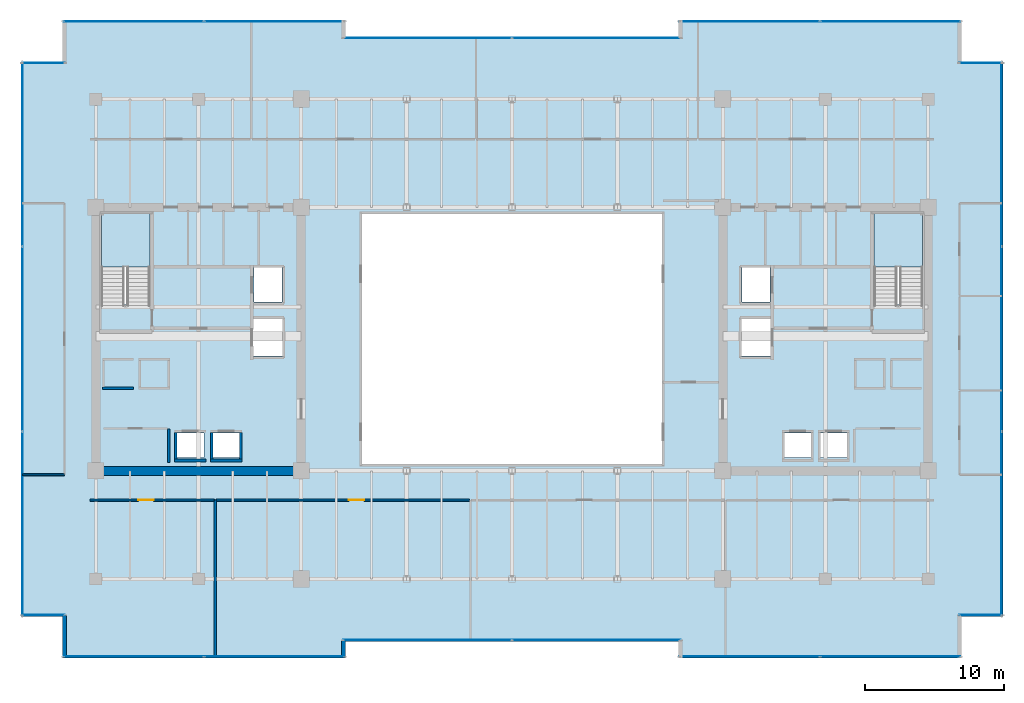
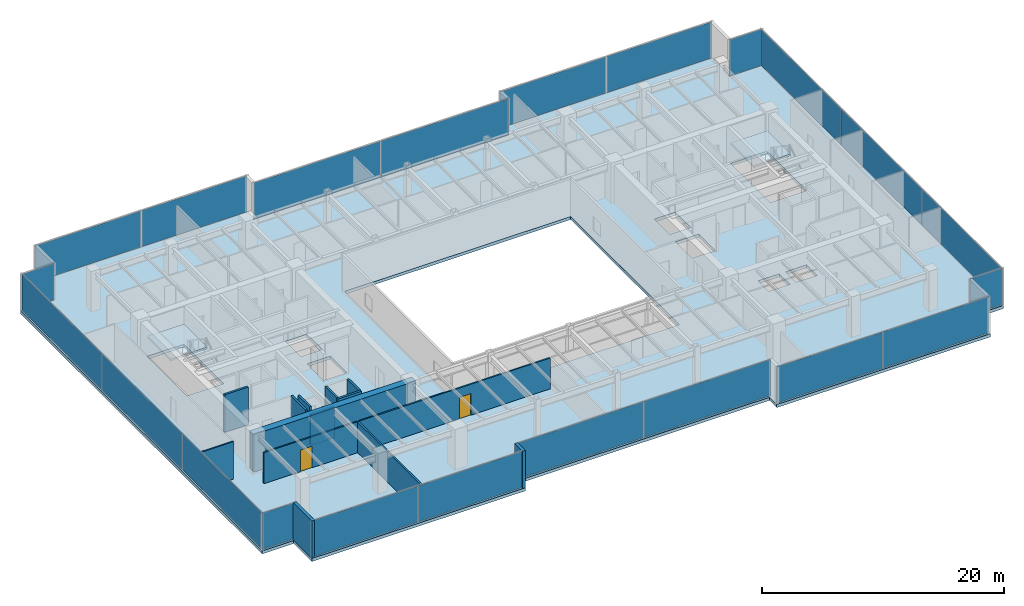
# One storey, part 24 of 30: 22 plates, 14 walls, 3 slabs, 2 doors, 2 openings, 14 elements without a shape of their own.
"""IFC4 building model written with IfcOpenShell, lengths in metres."""

from ifc_helpers import new_model, si_unit, direction, frame, frame_2d, origin, origin_2d, place, context, subcontext, project, spatial, polyline, rectangle, outline, extrude, source, transform, mapped, material, layer, layer_set, type_object, type_shapes, element, fill, aggregate, save


model = new_model("IFC4")

# Units and contexts
model_context = context("Model", 3, precision=1e-05, world=origin(), true_north=direction((0.0, 1.0)))
body_context = subcontext(model_context, "Body", "Model", "MODEL_VIEW")
ifc_project = project(units=[si_unit("LENGTHUNIT", "METRE"), si_unit("AREAUNIT", "SQUARE_METRE"), si_unit("VOLUMEUNIT", "CUBIC_METRE"), si_unit("PLANEANGLEUNIT", "RADIAN"), si_unit("MASSUNIT", "GRAM", prefix="KILO")], contexts=[model_context])

# Site, building, storey
site_placement = place(None, origin())
site = spatial("IfcSite", under=ifc_project, at=site_placement, CompositionType="ELEMENT")
building_placement = place(site_placement, origin())
building = spatial("IfcBuilding", under=site, at=building_placement, Name="Haelvirn Gate Laboratories", CompositionType="ELEMENT")
storey_placement = place(building_placement, frame((0.0, 0.0, 121.5)))
storey = spatial("IfcBuildingStorey", under=building, at=storey_placement, Name="L29", CompositionType="ELEMENT", Elevation=121.5)

# Stair, slab
ifc_material_1 = material(Name="Concrete C40/50", Category="concrete")
stair_type = type_object("IfcStairType", Name="ST-DOG-1650-R22", PredefinedType="HALF_TURN_STAIR", material=ifc_material_1)
stair_1_placement = place(storey_placement, origin())
stair_1 = element("IfcStair", 1, at=stair_1_placement, inside=storey, type_object=stair_type, Name="L29 Escape Stair ST1", PredefinedType="HALF_TURN_STAIR")
ifc_layer_1 = layer(ifc_material_1, 0.199951171875, Name="SL-STAIR-LND")
ifc_layer_set_1 = layer_set([ifc_layer_1], Name="Concrete C40/50")
slab_type_1 = type_object("IfcSlabType", Name="SL-STAIR-LND", PredefinedType="LANDING", material=ifc_layer_set_1)
slab_1_placement = place(storey_placement, frame((0.0, 0.0, 1.85009765625)))
slab_1 = element("IfcSlab", 2, at=slab_1_placement, type_object=slab_type_1, Name="ST1 landing 1", PredefinedType="LANDING", context=body_context, shape_type="SweptSolid", body=[
    extrude(outline(polyline([(11.300048828125, 29.5), (11.300048828125, 33.35009765625), (7.800048828125, 33.35009765625), (7.800048828125, 29.5), (11.300048828125, 29.5)])), origin(), (0.0, 0.0, 1.0), 0.199951171875),
])
aggregate(stair_1, [slab_1])

stair_2_placement = place(storey_placement, origin())
stair_2 = element("IfcStair", 3, at=stair_2_placement, inside=storey, type_object=stair_type, Name="L29 Escape Stair ST2", PredefinedType="HALF_TURN_STAIR")
slab_2_placement = place(storey_placement, frame((0.0, 0.0, 1.85009765625)))
slab_2 = element("IfcSlab", 4, at=slab_2_placement, type_object=slab_type_1, Name="ST2 landing 1", PredefinedType="LANDING", context=body_context, shape_type="SweptSolid", body=[
    extrude(outline(polyline([(67.0, 29.5), (67.0, 33.35009765625), (63.5, 33.35009765625), (63.5, 29.5), (67.0, 29.5)])), origin(), (0.0, 0.0, 1.0), 0.199951171875),
])
aggregate(stair_2, [slab_2])

# Slab
ifc_layer_2 = layer(ifc_material_1, 0.31005859375, Name="SL-Z2-310")
ifc_layer_set_2 = layer_set([ifc_layer_2], Name="Concrete C40/50")
slab_type_2 = type_object("IfcSlabType", Name="SL-Z2-310", PredefinedType="FLOOR", material=ifc_layer_set_2)
slab_3_placement = place(storey_placement, frame((0.0, 0.0, -0.31005859375)))
element("IfcSlab", 5, at=slab_3_placement, inside=storey, type_object=slab_type_2, Name="L29 Structural Slab MAIN", PredefinedType="FLOOR", context=body_context, shape_type="SweptSolid", body=[
    extrude(outline(polyline([(5.0, 1.300048828125), (25.39990234375, 1.300048828125), (25.39990234375, 2.5), (49.39990234375, 2.5), (49.39990234375, 1.300048828125), (69.800048828125, 1.300048828125), (69.800048828125, 4.300048828125), (72.800048828125, 4.300048828125), (72.800048828125, 44.300048828125), (69.800048828125, 44.300048828125), (69.800048828125, 47.300048828125), (49.39990234375, 47.300048828125), (49.39990234375, 46.10009765625), (25.39990234375, 46.10009765625), (25.39990234375, 47.300048828125), (5.0, 47.300048828125), (5.0, 44.300048828125), (2.0, 44.300048828125), (2.0, 4.300048828125), (5.0, 4.300048828125), (5.0, 1.300048828125)]), holes=[polyline([(26.60009765625, 15.300048828125), (48.199951171875, 15.300048828125), (48.199951171875, 33.300048828125), (26.60009765625, 33.300048828125), (26.60009765625, 15.300048828125)]), polyline([(11.300048828125, 26.780029296875), (11.300048828125, 33.35009765625), (7.800048828125, 33.35009765625), (7.800048828125, 26.780029296875), (11.300048828125, 26.780029296875)]), polyline([(67.0, 26.780029296875), (67.0, 33.35009765625), (63.5, 33.35009765625), (63.5, 26.780029296875), (67.0, 26.780029296875)]), polyline([(13.18994140625, 15.77001953125), (15.2099609375, 15.77001953125), (15.2099609375, 17.510009765625), (13.18994140625, 17.510009765625), (13.18994140625, 15.77001953125)]), polyline([(15.7900390625, 15.77001953125), (17.81005859375, 15.77001953125), (17.81005859375, 17.510009765625), (15.7900390625, 17.510009765625), (15.7900390625, 15.77001953125)]), polyline([(18.7900390625, 26.969970703125), (20.81005859375, 26.969970703125), (20.81005859375, 29.510009765625), (18.7900390625, 29.510009765625), (18.7900390625, 26.969970703125)]), polyline([(18.68994140625, 23.070068359375), (20.909912109375, 23.070068359375), (20.909912109375, 25.81005859375), (18.68994140625, 25.81005859375), (18.68994140625, 23.070068359375)]), polyline([(59.590087890625, 15.77001953125), (61.610107421875, 15.77001953125), (61.610107421875, 17.510009765625), (59.590087890625, 17.510009765625), (59.590087890625, 15.77001953125)]), polyline([(56.989990234375, 15.77001953125), (59.010009765625, 15.77001953125), (59.010009765625, 17.510009765625), (56.989990234375, 17.510009765625), (56.989990234375, 15.77001953125)]), polyline([(53.989990234375, 26.969970703125), (56.010009765625, 26.969970703125), (56.010009765625, 29.510009765625), (53.989990234375, 29.510009765625), (53.989990234375, 26.969970703125)]), polyline([(53.889892578125, 23.070068359375), (56.110107421875, 23.070068359375), (56.110107421875, 25.81005859375), (53.889892578125, 25.81005859375), (53.889892578125, 23.070068359375)])]), origin(), (0.0, 0.0, 1.0), 0.31005859375),
])

# Curtain wall, plates
ifc_material_2 = material(Name="Anodised bronze unitised aluminium & triple low-E glass", Category="aluminium")
ifc_layer_3 = layer(ifc_material_2, 0.179931640625, Name="CW-SYS-3")
ifc_layer_set_3 = layer_set([ifc_layer_3], Name="Anodised bronze unitised aluminium & triple low-E glass")
curtain_wall_type_1 = type_object("IfcCurtainWallType", Name="CW-SYS-3", PredefinedType="NOTDEFINED", material=ifc_layer_set_3)
curtain_wall_1_placement = place(storey_placement, origin())
curtain_wall_1 = element("IfcCurtainWall", 6, at=curtain_wall_1_placement, inside=storey, type_object=curtain_wall_type_1, Name="L29 Unitised Curtain Wall CW-L29-P0-E00-1", PredefinedType="NOTDEFINED")
ifc_material_3 = material(Name="High-selectivity bronze triple IGU 40 mm", Category="glass")
ifc_layer_4 = layer(ifc_material_3, 0.0400390625, Name="CWP-IGU-40")
ifc_layer_set_4 = layer_set([ifc_layer_4], Name="High-selectivity bronze triple IGU 40 mm")
plate_type_1 = type_object("IfcPlateType", Name="CWP-IGU-40", PredefinedType="CURTAIN_PANEL", material=ifc_layer_set_4)
shared_shape_1 = source(origin(), body_context, "Body", "SweptSolid", [
    extrude(rectangle(XDim=10.08740234375, YDim=0.0400390625, at=origin_2d()), origin(), (0.0, 0.0, 1.0), 3.659912109375),
])
plate_1_placement = place(storey_placement, frame((10.11865234375, 1.39990234375, 0.06494140625), z_axis=(0.0, 0.0, 1.0), x_axis=(1.0, 0.0, 0.0)))
plate_1 = element("IfcPlate", 7, at=plate_1_placement, type_object=plate_type_1, Name="CW3 panel 1.1", PredefinedType="CURTAIN_PANEL", context=body_context, shape_type="MappedRepresentation", body=[
    mapped(shared_shape_1, transform((0.0, 0.0, 0.0), scale=1.0)),
])
plate_2_placement = place(storey_placement, frame((20.28125, 1.39990234375, 0.06494140625), z_axis=(0.0, 0.0, 1.0), x_axis=(1.0, 0.0, 0.0)))
plate_2 = element("IfcPlate", 8, at=plate_2_placement, type_object=plate_type_1, Name="CW3 panel 2.1", PredefinedType="CURTAIN_PANEL", context=body_context, shape_type="MappedRepresentation", body=[
    mapped(shared_shape_1, transform((0.0, 0.0, 0.0), scale=1.0)),
])
aggregate(curtain_wall_1, [plate_1, plate_2])

curtain_wall_2_placement = place(storey_placement, origin())
curtain_wall_2 = element("IfcCurtainWall", 9, at=curtain_wall_2_placement, inside=storey, type_object=curtain_wall_type_1, Name="L29 Unitised Curtain Wall CW-L29-P0-E04-1", PredefinedType="NOTDEFINED")
plate_3_placement = place(storey_placement, frame((54.518798828125, 1.39990234375, 0.06494140625), z_axis=(0.0, 0.0, 1.0), x_axis=(1.0, 0.0, 0.0)))
plate_3 = element("IfcPlate", 10, at=plate_3_placement, type_object=plate_type_1, Name="CW3 panel 1.1", PredefinedType="CURTAIN_PANEL", context=body_context, shape_type="MappedRepresentation", body=[
    mapped(shared_shape_1, transform((0.0, 0.0, 0.0), scale=1.0)),
])
plate_4_placement = place(storey_placement, frame((64.68115234375, 1.39990234375, 0.06494140625), z_axis=(0.0, 0.0, 1.0), x_axis=(1.0, 0.0, 0.0)))
plate_4 = element("IfcPlate", 11, at=plate_4_placement, type_object=plate_type_1, Name="CW3 panel 2.1", PredefinedType="CURTAIN_PANEL", context=body_context, shape_type="MappedRepresentation", body=[
    mapped(shared_shape_1, transform((0.0, 0.0, 0.0), scale=1.0)),
])
aggregate(curtain_wall_2, [plate_3, plate_4])

curtain_wall_3_placement = place(storey_placement, origin())
curtain_wall_3 = element("IfcCurtainWall", 12, at=curtain_wall_3_placement, inside=storey, type_object=curtain_wall_type_1, Name="L29 Unitised Curtain Wall CW-L29-P0-E10-1", PredefinedType="NOTDEFINED")
plate_5_placement = place(storey_placement, frame((54.518798828125, 47.199951171875, 0.06494140625), z_axis=(0.0, 0.0, 1.0), x_axis=(1.0, 0.0, 0.0)))
plate_5 = element("IfcPlate", 13, at=plate_5_placement, type_object=plate_type_1, Name="CW3 panel 1.1", PredefinedType="CURTAIN_PANEL", context=body_context, shape_type="MappedRepresentation", body=[
    mapped(shared_shape_1, transform((0.0, 0.0, 0.0), scale=1.0)),
])
plate_6_placement = place(storey_placement, frame((64.68115234375, 47.199951171875, 0.06494140625), z_axis=(0.0, 0.0, 1.0), x_axis=(1.0, 0.0, 0.0)))
plate_6 = element("IfcPlate", 14, at=plate_6_placement, type_object=plate_type_1, Name="CW3 panel 2.1", PredefinedType="CURTAIN_PANEL", context=body_context, shape_type="MappedRepresentation", body=[
    mapped(shared_shape_1, transform((0.0, 0.0, 0.0), scale=1.0)),
])
aggregate(curtain_wall_3, [plate_5, plate_6])

curtain_wall_4_placement = place(storey_placement, origin())
curtain_wall_4 = element("IfcCurtainWall", 15, at=curtain_wall_4_placement, inside=storey, type_object=curtain_wall_type_1, Name="L29 Unitised Curtain Wall CW-L29-P0-E14-1", PredefinedType="NOTDEFINED")
plate_7_placement = place(storey_placement, frame((10.11865234375, 47.199951171875, 0.06494140625), z_axis=(0.0, 0.0, 1.0), x_axis=(1.0, 0.0, 0.0)))
plate_7 = element("IfcPlate", 16, at=plate_7_placement, type_object=plate_type_1, Name="CW3 panel 1.1", PredefinedType="CURTAIN_PANEL", context=body_context, shape_type="MappedRepresentation", body=[
    mapped(shared_shape_1, transform((0.0, 0.0, 0.0), scale=1.0)),
])
plate_8_placement = place(storey_placement, frame((20.28125, 47.199951171875, 0.06494140625), z_axis=(0.0, 0.0, 1.0), x_axis=(1.0, 0.0, 0.0)))
plate_8 = element("IfcPlate", 17, at=plate_8_placement, type_object=plate_type_1, Name="CW3 panel 2.1", PredefinedType="CURTAIN_PANEL", context=body_context, shape_type="MappedRepresentation", body=[
    mapped(shared_shape_1, transform((0.0, 0.0, 0.0), scale=1.0)),
])
aggregate(curtain_wall_4, [plate_7, plate_8])

curtain_wall_5_placement = place(storey_placement, origin())
curtain_wall_5 = element("IfcCurtainWall", 18, at=curtain_wall_5_placement, inside=storey, type_object=curtain_wall_type_1, Name="L29 Unitised Curtain Wall CW-L29-P0-E02-1", PredefinedType="NOTDEFINED")
shared_shape_2 = source(origin(), body_context, "Body", "SweptSolid", [
    extrude(rectangle(XDim=12.12744140625, YDim=0.0400390625, at=origin_2d()), origin(), (0.0, 0.0, 1.0), 3.659912109375),
])
plate_9_placement = place(storey_placement, frame((31.298828125, 2.60009765625, 0.06494140625), z_axis=(0.0, 0.0, 1.0), x_axis=(1.0, 0.0, 0.0)))
plate_9 = element("IfcPlate", 19, at=plate_9_placement, type_object=plate_type_1, Name="CW3 panel 1.1", PredefinedType="CURTAIN_PANEL", context=body_context, shape_type="MappedRepresentation", body=[
    mapped(shared_shape_2, transform((0.0, 0.0, 0.0), scale=1.0)),
])
plate_10_placement = place(storey_placement, frame((43.501220703125, 2.60009765625, 0.06494140625), z_axis=(0.0, 0.0, 1.0), x_axis=(1.0, 0.0, 0.0)))
plate_10 = element("IfcPlate", 20, at=plate_10_placement, type_object=plate_type_1, Name="CW3 panel 2.1", PredefinedType="CURTAIN_PANEL", context=body_context, shape_type="MappedRepresentation", body=[
    mapped(shared_shape_2, transform((0.0, 0.0, 0.0), scale=1.0)),
])
aggregate(curtain_wall_5, [plate_9, plate_10])

curtain_wall_6_placement = place(storey_placement, origin())
curtain_wall_6 = element("IfcCurtainWall", 21, at=curtain_wall_6_placement, inside=storey, type_object=curtain_wall_type_1, Name="L29 Unitised Curtain Wall CW-L29-P0-E12-1", PredefinedType="NOTDEFINED")
plate_11_placement = place(storey_placement, frame((31.298828125, 46.0, 0.06494140625), z_axis=(0.0, 0.0, 1.0), x_axis=(1.0, 0.0, 0.0)))
plate_11 = element("IfcPlate", 22, at=plate_11_placement, type_object=plate_type_1, Name="CW3 panel 1.1", PredefinedType="CURTAIN_PANEL", context=body_context, shape_type="MappedRepresentation", body=[
    mapped(shared_shape_2, transform((0.0, 0.0, 0.0), scale=1.0)),
])
plate_12_placement = place(storey_placement, frame((43.501220703125, 46.0, 0.06494140625), z_axis=(0.0, 0.0, 1.0), x_axis=(1.0, 0.0, 0.0)))
plate_12 = element("IfcPlate", 23, at=plate_12_placement, type_object=plate_type_1, Name="CW3 panel 2.1", PredefinedType="CURTAIN_PANEL", context=body_context, shape_type="MappedRepresentation", body=[
    mapped(shared_shape_2, transform((0.0, 0.0, 0.0), scale=1.0)),
])
aggregate(curtain_wall_6, [plate_11, plate_12])

# Curtain wall, plate
ifc_layer_5 = layer(ifc_material_2, 0.181884765625, Name="CW-SYS-5")
ifc_layer_set_5 = layer_set([ifc_layer_5], Name="Anodised bronze unitised aluminium & triple low-E glass")
curtain_wall_type_2 = type_object("IfcCurtainWallType", Name="CW-SYS-5", PredefinedType="NOTDEFINED", material=ifc_layer_set_5)
curtain_wall_7_placement = place(storey_placement, origin())
curtain_wall_7 = element("IfcCurtainWall", 24, at=curtain_wall_7_placement, inside=storey, type_object=curtain_wall_type_2, Name="L29 Unitised Curtain Wall CW-L29-P0-E06-1", PredefinedType="NOTDEFINED")
ifc_material_4 = material(Name="Clear low-iron notched-corner triple IGU 42 mm", Category="glass")
ifc_layer_6 = layer(ifc_material_4, 0.0419921875, Name="CWP-NTC-42")
ifc_layer_set_6 = layer_set([ifc_layer_6], Name="Clear low-iron notched-corner triple IGU 42 mm")
plate_type_2 = type_object("IfcPlateType", Name="CWP-NTC-42", PredefinedType="CURTAIN_PANEL", material=ifc_layer_set_6)
shared_shape_3 = source(origin(), body_context, "Body", "SweptSolid", [
    extrude(rectangle(XDim=3.080078125, YDim=0.0419921875, at=origin_2d()), origin(), (0.0, 0.0, 1.0), 3.659912109375),
])
type_shapes(plate_type_2, [shared_shape_3])
plate_13_placement = place(storey_placement, frame((71.179931640625, 4.39990234375, 0.06494140625), z_axis=(0.0, 0.0, 1.0), x_axis=(1.0, 0.0, 0.0)))
plate_13 = element("IfcPlate", 25, at=plate_13_placement, type_object=plate_type_2, Name="CW5 panel 1.1", PredefinedType="CURTAIN_PANEL", context=body_context, shape_type="MappedRepresentation", body=[
    mapped(shared_shape_3, transform((0.0, 0.0, 0.0), scale=1.0)),
])
aggregate(curtain_wall_7, [plate_13])

curtain_wall_8_placement = place(storey_placement, origin())
curtain_wall_8 = element("IfcCurtainWall", 26, at=curtain_wall_8_placement, inside=storey, type_object=curtain_wall_type_2, Name="L29 Unitised Curtain Wall CW-L29-P0-E08-1", PredefinedType="NOTDEFINED")
plate_14_placement = place(storey_placement, frame((71.179931640625, 44.199951171875, 0.06494140625), z_axis=(0.0, 0.0, 1.0), x_axis=(1.0, 0.0, 0.0)))
plate_14 = element("IfcPlate", 27, at=plate_14_placement, type_object=plate_type_2, Name="CW5 panel 1.1", PredefinedType="CURTAIN_PANEL", context=body_context, shape_type="MappedRepresentation", body=[
    mapped(shared_shape_3, transform((0.0, 0.0, 0.0), scale=1.0)),
])
aggregate(curtain_wall_8, [plate_14])

curtain_wall_9_placement = place(storey_placement, origin())
curtain_wall_9 = element("IfcCurtainWall", 28, at=curtain_wall_9_placement, inside=storey, type_object=curtain_wall_type_2, Name="L29 Unitised Curtain Wall CW-L29-P0-E16-1", PredefinedType="NOTDEFINED")
plate_15_placement = place(storey_placement, frame((3.6201171875, 44.199951171875, 0.06494140625), z_axis=(0.0, 0.0, 1.0), x_axis=(1.0, 0.0, 0.0)))
plate_15 = element("IfcPlate", 29, at=plate_15_placement, type_object=plate_type_2, Name="CW5 panel 1.1", PredefinedType="CURTAIN_PANEL", context=body_context, shape_type="MappedRepresentation", body=[
    mapped(shared_shape_3, transform((0.0, 0.0, 0.0), scale=1.0)),
])
aggregate(curtain_wall_9, [plate_15])

curtain_wall_10_placement = place(storey_placement, origin())
curtain_wall_10 = element("IfcCurtainWall", 30, at=curtain_wall_10_placement, inside=storey, type_object=curtain_wall_type_2, Name="L29 Unitised Curtain Wall CW-L29-P0-E18-1", PredefinedType="NOTDEFINED")
plate_16_placement = place(storey_placement, frame((3.6201171875, 4.39990234375, 0.06494140625), z_axis=(0.0, 0.0, 1.0), x_axis=(1.0, 0.0, 0.0)))
plate_16 = element("IfcPlate", 31, at=plate_16_placement, type_object=plate_type_2, Name="CW5 panel 1.1", PredefinedType="CURTAIN_PANEL", context=body_context, shape_type="MappedRepresentation", body=[
    mapped(shared_shape_3, transform((0.0, 0.0, 0.0), scale=1.0)),
])
aggregate(curtain_wall_10, [plate_16])

# Curtain wall, plates
curtain_wall_11_placement = place(storey_placement, origin())
curtain_wall_11 = element("IfcCurtainWall", 32, at=curtain_wall_11_placement, inside=storey, type_object=curtain_wall_type_1, Name="L29 Unitised Curtain Wall CW-L29-P0-E07", PredefinedType="NOTDEFINED")
shared_shape_4 = source(origin(), body_context, "Body", "SweptSolid", [
    extrude(rectangle(XDim=13.220947265625, YDim=0.0400390625, at=origin_2d()), origin(), (0.0, 0.0, 1.0), 3.659912109375),
])
plate_17_placement = place(storey_placement, frame((72.699951171875, 10.9853515625, 0.06494140625), z_axis=(0.0, 0.0, 1.0), x_axis=(0.0, 1.0, 0.0)))
plate_17 = element("IfcPlate", 33, at=plate_17_placement, type_object=plate_type_1, Name="CW3 panel 1.1", PredefinedType="CURTAIN_PANEL", context=body_context, shape_type="MappedRepresentation", body=[
    mapped(shared_shape_4, transform((0.0, 0.0, 0.0), scale=1.0)),
])
plate_18_placement = place(storey_placement, frame((72.699951171875, 37.614501953125, 0.06494140625), z_axis=(0.0, 0.0, 1.0), x_axis=(0.0, 1.0, 0.0)))
plate_18 = element("IfcPlate", 34, at=plate_18_placement, type_object=plate_type_1, Name="CW3 panel 3.1", PredefinedType="CURTAIN_PANEL", context=body_context, shape_type="MappedRepresentation", body=[
    mapped(shared_shape_4, transform((0.0, 0.0, 0.0), scale=1.0)),
])

curtain_wall_12_placement = place(storey_placement, origin())
curtain_wall_12 = element("IfcCurtainWall", 35, at=curtain_wall_12_placement, inside=storey, type_object=curtain_wall_type_1, Name="L29 Unitised Curtain Wall CW-L29-P0-E17", PredefinedType="NOTDEFINED")
plate_19_placement = place(storey_placement, frame((2.10009765625, 37.614501953125, 0.06494140625), z_axis=(0.0, 0.0, 1.0), x_axis=(0.0, -1.0, 0.0)))
plate_19 = element("IfcPlate", 36, at=plate_19_placement, type_object=plate_type_1, Name="CW3 panel 1.1", PredefinedType="CURTAIN_PANEL", context=body_context, shape_type="MappedRepresentation", body=[
    mapped(shared_shape_4, transform((0.0, 0.0, 0.0), scale=1.0)),
])
plate_20_placement = place(storey_placement, frame((2.10009765625, 10.9853515625, 0.06494140625), z_axis=(0.0, 0.0, 1.0), x_axis=(0.0, -1.0, 0.0)))
plate_20 = element("IfcPlate", 37, at=plate_20_placement, type_object=plate_type_1, Name="CW3 panel 3.1", PredefinedType="CURTAIN_PANEL", context=body_context, shape_type="MappedRepresentation", body=[
    mapped(shared_shape_4, transform((0.0, 0.0, 0.0), scale=1.0)),
])

# Plate
shared_shape_5 = source(origin(), body_context, "Body", "SweptSolid", [
    extrude(rectangle(XDim=13.25830078125, YDim=0.0400390625, at=origin_2d()), origin(), (0.0, 0.0, 1.0), 3.659912109375),
])
type_shapes(plate_type_1, [shared_shape_1, shared_shape_2, shared_shape_4, shared_shape_5])
plate_21_placement = place(storey_placement, frame((72.699951171875, 24.300048828125, 0.06494140625), z_axis=(0.0, 0.0, 1.0), x_axis=(0.0, 1.0, 0.0)))
plate_21 = element("IfcPlate", 38, at=plate_21_placement, type_object=plate_type_1, Name="CW3 panel 2.1", PredefinedType="CURTAIN_PANEL", context=body_context, shape_type="MappedRepresentation", body=[
    mapped(shared_shape_5, transform((0.0, 0.0, 0.0), scale=1.0)),
])

aggregate(curtain_wall_11, [plate_17, plate_21, plate_18])

plate_22_placement = place(storey_placement, frame((2.10009765625, 24.300048828125, 0.06494140625), z_axis=(0.0, 0.0, 1.0), x_axis=(0.0, -1.0, 0.0)))
plate_22 = element("IfcPlate", 39, at=plate_22_placement, type_object=plate_type_1, Name="CW3 panel 2.1", PredefinedType="CURTAIN_PANEL", context=body_context, shape_type="MappedRepresentation", body=[
    mapped(shared_shape_5, transform((0.0, 0.0, 0.0), scale=1.0)),
])

aggregate(curtain_wall_12, [plate_19, plate_22, plate_20])

# Walls
ifc_material_5 = material(Name="Thermally-broken bronze aluminium rainscreen & mineral wool", Category="aluminium")
ifc_layer_7 = layer(ifc_material_5, 0.280029296875, Name="EW-TERR-280")
ifc_layer_set_7 = layer_set([ifc_layer_7], Name="Thermally-broken bronze aluminium rainscreen & mineral wool")
wall_type_1 = type_object("IfcWallType", Name="EW-TERR-280", PredefinedType="STANDARD", material=ifc_layer_set_7)
wall_1_placement = place(storey_placement, frame((25.260009765625, 1.300048828125, 0.0), z_axis=(0.0, 0.0, 1.0), x_axis=(0.0, 1.0, 0.0)))
element("IfcWall", 40, at=wall_1_placement, inside=storey, type_object=wall_type_1, Name="L29 Atrium Recess Bronze Return Wall 01", PredefinedType="STANDARD", context=body_context, shape_type="SweptSolid", body=[
    extrude(rectangle(XDim=1.287841796875, YDim=0.280029296875, at=frame_2d((0.64404296875, 0.0))), origin(), (0.0, 0.0, 1.0), 3.7900390625),
])
wall_2_placement = place(storey_placement, frame((5.139892578125, 4.387939453125, 0.0), z_axis=(0.0, 0.0, 1.0), x_axis=(0.0, -1.0, 0.0)))
element("IfcWall", 41, at=wall_2_placement, inside=storey, type_object=wall_type_1, Name="L29 Atrium Recess Bronze Return Wall 19", PredefinedType="STANDARD", context=body_context, shape_type="SweptSolid", body=[
    extrude(rectangle(XDim=3.087890625, YDim=0.280029296875, at=frame_2d((1.5439453125, 0.0))), origin(), (0.0, 0.0, 1.0), 3.7900390625),
])
ifc_material_6 = material(Name="Double-layer acoustic gypsum laboratory partition", Category="gypsum")
ifc_layer_8 = layer(ifc_material_6, 0.159912109375, Name="IW-ACOUST-160")
ifc_layer_set_8 = layer_set([ifc_layer_8], Name="Double-layer acoustic gypsum laboratory partition")
wall_type_2 = type_object("IfcWallType", Name="IW-ACOUST-160", PredefinedType="PARTITIONING", material=ifc_layer_set_8)
wall_3_placement = place(storey_placement, frame((16.0, 1.409912109375, 0.0), z_axis=(0.0, 0.0, 1.0), x_axis=(0.0, 1.0, 0.0)))
element("IfcWall", 42, at=wall_3_placement, inside=storey, type_object=wall_type_2, Name="L29 Interior Wall IW-L29-SDIV-01", PredefinedType="PARTITIONING", context=body_context, shape_type="SweptSolid", body=[
    extrude(rectangle(XDim=11.280029296875, YDim=0.159912109375, at=frame_2d((5.64013671875, 0.0))), origin(), (0.0, 0.0, 1.0), 3.074951171875),
])
ifc_material_7 = material(Name="Lightweight acoustic gypsum board partition", Category="gypsum")
ifc_layer_9 = layer(ifc_material_7, 0.1201171875, Name="IW-PART-120")
ifc_layer_set_9 = layer_set([ifc_layer_9], Name="Lightweight acoustic gypsum board partition")
wall_type_3 = type_object("IfcWallType", Name="IW-PART-120", PredefinedType="PARTITIONING", material=ifc_layer_set_9)
wall_4_placement = place(storey_placement, frame((2.110107421875, 14.514892578125, 0.0), z_axis=(0.0, 0.0, 1.0), x_axis=(1.0, 0.0, 0.0)))
element("IfcWall", 43, at=wall_4_placement, inside=storey, type_object=wall_type_3, Name="L29 Interior Wall IW-L29-WCAP-S", PredefinedType="PARTITIONING", context=body_context, shape_type="SweptSolid", body=[
    extrude(rectangle(XDim=3.019775390625, YDim=0.1201171875, at=frame_2d((1.509765625, 0.0))), origin(), (0.0, 0.0, 1.0), 3.7900390625),
])

# Wall, opening, door
ifc_material_8 = material(Name="Acoustic mineral-wool gypsum board partition", Category="gypsum")
ifc_layer_10 = layer(ifc_material_8, 0.139892578125, Name="IW-PART-140")
ifc_layer_set_10 = layer_set([ifc_layer_10], Name="Acoustic mineral-wool gypsum board partition")
wall_type_4 = type_object("IfcWallType", Name="IW-PART-140", PredefinedType="PARTITIONING", material=ifc_layer_set_10)
wall_5_placement = place(storey_placement, frame((6.97998046875, 12.68994140625, 0.0), z_axis=(0.0, 0.0, 1.0), x_axis=(1.0, 0.0, 0.0)))
wall_5 = element("IfcWall", 44, at=wall_5_placement, inside=storey, type_object=wall_type_4, Name="L29 Interior Wall IW-L29-SCORR-01", PredefinedType="PARTITIONING", context=body_context, shape_type="SweptSolid", body=[
    extrude(rectangle(XDim=8.93994140625, YDim=0.139892578125, at=frame_2d((4.469970703125, 0.0))), origin(), (0.0, 0.0, 1.0), 3.125),
])
opening_1_placement = place(wall_5_placement, frame((3.49169921875, 0.0, 0.0)))
opening_1 = element("IfcOpeningElement", 45, at=opening_1_placement, cuts=wall_5, Name="Opening D1", PredefinedType="OPENING", context=body_context, shape_type="SweptSolid", body=[
    extrude(rectangle(XDim=1.10009765625, YDim=2.179931640625, at=frame_2d((0.550048828125, 1.08984375))), frame((0.0, 0.080078125, 0.0), z_axis=(0.0, -1.0, 0.0), x_axis=(1.0, 0.0, 0.0)), (0.0, 0.0, 1.0), 0.159912109375),
])
ifc_material_9 = material(Name="Vision-panel acoustic solid-core timber lab door", Category="wood")
door_type = type_object("IfcDoorType", Name="DR-LAB-1100", OperationType="NOTDEFINED", PredefinedType="DOOR", material=ifc_material_9)
shared_shape_6 = source(origin(), body_context, "Body", "SweptSolid", [
    extrude(rectangle(XDim=1.10009765625, YDim=2.179931640625, at=frame_2d((0.550048828125, 1.08984375))), frame((0.0, 0.02490234375, 0.0), z_axis=(0.0, -1.0, 0.0), x_axis=(1.0, 0.0, 0.0)), (0.0, 0.0, 1.0), 0.050048828125),
])
type_shapes(door_type, [shared_shape_6])
door_1_placement = place(opening_1_placement, origin())
door_1 = element("IfcDoor", 46, at=door_1_placement, inside=storey, type_object=door_type, Name="L29 Translational Data Office Door S1", OperationType="SINGLE_SWING_RIGHT", OverallHeight=2.179931640625, OverallWidth=1.10009765625, PredefinedType="DOOR", context=body_context, shape_type="MappedRepresentation", body=[
    mapped(shared_shape_6, transform((0.0, 0.0, 0.0), scale=1.0)),
])
fill(opening_1, door_1)

wall_6_placement = place(storey_placement, frame((16.080078125, 12.68994140625, 0.0), z_axis=(0.0, 0.0, 1.0), x_axis=(1.0, 0.0, 0.0)))
wall_6 = element("IfcWall", 47, at=wall_6_placement, inside=storey, type_object=wall_type_4, Name="L29 Interior Wall IW-L29-SCORR-02", PredefinedType="PARTITIONING", context=body_context, shape_type="SweptSolid", body=[
    extrude(rectangle(XDim=18.239990234375, YDim=0.139892578125, at=frame_2d((9.1201171875, 0.0))), origin(), (0.0, 0.0, 1.0), 3.125),
])
opening_2_placement = place(wall_6_placement, frame((9.556396484375, 0.0, 0.0)))
opening_2 = element("IfcOpeningElement", 48, at=opening_2_placement, cuts=wall_6, Name="Opening D1", PredefinedType="OPENING", context=body_context, shape_type="SweptSolid", body=[
    extrude(rectangle(XDim=1.10009765625, YDim=2.179931640625, at=frame_2d((0.550048828125, 1.08984375))), frame((0.0, 0.080078125, 0.0), z_axis=(0.0, -1.0, 0.0), x_axis=(1.0, 0.0, 0.0)), (0.0, 0.0, 1.0), 0.159912109375),
])
door_2_placement = place(opening_2_placement, origin())
door_2 = element("IfcDoor", 49, at=door_2_placement, inside=storey, type_object=door_type, Name="L29 Computational Write-Up Office Door S2", OperationType="SINGLE_SWING_LEFT", OverallHeight=2.179931640625, OverallWidth=1.10009765625, PredefinedType="DOOR", context=body_context, shape_type="MappedRepresentation", body=[
    mapped(shared_shape_6, transform((0.0, 0.0, 0.0), scale=1.0)),
])
fill(opening_2, door_2)

# Walls
ifc_layer_11 = layer(ifc_material_1, 0.179931640625, Name="IW-SHAFT-180")
ifc_layer_set_11 = layer_set([ifc_layer_11], Name="Concrete C40/50")
wall_type_5 = type_object("IfcWallType", Name="IW-SHAFT-180", PredefinedType="SOLIDWALL", material=ifc_layer_set_11)
for number, where, z_axis, x_axis, name in (
    (50, (13.14990234375, 15.64990234375, 0.0), (0.0, 0.0, 1.0), (0.0, 1.0, 0.0), "L29 Interior Wall IW-L29-PL5-SD"),
    (51, (15.75, 15.64990234375, 0.0), (0.0, 0.0, 1.0), (0.0, 1.0, 0.0), "L29 Interior Wall IW-L29-PL6-SD"),
    (52, (17.85009765625, 15.64990234375, 0.0), (0.0, 0.0, 1.0), (0.0, 1.0, 0.0), "L29 Interior Wall IW-L29-PL6-SDE"),
):
    element("IfcWall", number, at=place(storey_placement, frame(where, z_axis=z_axis, x_axis=x_axis)), inside=storey, type_object=wall_type_5, Name=name, PredefinedType="SOLIDWALL", context=body_context, shape_type="SweptSolid", body=[
        extrude(rectangle(XDim=1.900146484375, YDim=0.179931640625, at=frame_2d((0.9501953125, 0.0))), origin(), (0.0, 0.0, 1.0), 3.7900390625),
    ])
wall_7_placement = place(storey_placement, frame((12.639892578125, 15.39990234375, 0.0), z_axis=(0.0, 0.0, 1.0), x_axis=(0.0, 1.0, 0.0)))
element("IfcWall", 53, at=wall_7_placement, inside=storey, type_object=wall_type_5, Name="L29 Interior Wall IW-L29-W-FREED-LE-1", PredefinedType="SOLIDWALL", context=body_context, shape_type="SweptSolid", body=[
    extrude(rectangle(XDim=2.400146484375, YDim=0.179931640625, at=frame_2d((1.2001953125, 0.0))), origin(), (0.0, 0.0, 1.0), 3.7900390625),
])
ifc_layer_12 = layer(ifc_material_1, 0.199951171875, Name="IW-SHAFT-200")
ifc_layer_set_12 = layer_set([ifc_layer_12], Name="Concrete C40/50")
wall_type_6 = type_object("IfcWallType", Name="IW-SHAFT-200", PredefinedType="SOLIDWALL", material=ifc_layer_set_12)
wall_8_placement = place(storey_placement, frame((13.070068359375, 15.550048828125, 0.0), z_axis=(0.0, 0.0, 1.0), x_axis=(1.0, 0.0, 0.0)))
element("IfcWall", 54, at=wall_8_placement, inside=storey, type_object=wall_type_6, Name="L29 Interior Wall IW-L29-PL5-BK", PredefinedType="SOLIDWALL", context=body_context, shape_type="SweptSolid", body=[
    extrude(rectangle(XDim=2.260009765625, YDim=0.199951171875, at=frame_2d((1.1298828125, 0.0))), origin(), (0.0, 0.0, 1.0), 3.125),
])
wall_9_placement = place(storey_placement, frame((15.669921875, 15.550048828125, 0.0), z_axis=(0.0, 0.0, 1.0), x_axis=(1.0, 0.0, 0.0)))
element("IfcWall", 55, at=wall_9_placement, inside=storey, type_object=wall_type_6, Name="L29 Interior Wall IW-L29-PL6-BK", PredefinedType="SOLIDWALL", context=body_context, shape_type="SweptSolid", body=[
    extrude(rectangle(XDim=2.260009765625, YDim=0.199951171875, at=frame_2d((1.1298828125, 0.0))), origin(), (0.0, 0.0, 1.0), 3.7900390625),
])
wall_10_placement = place(storey_placement, frame((7.8701171875, 20.75, 0.0), z_axis=(0.0, 0.0, 1.0), x_axis=(1.0, 0.0, 0.0)))
element("IfcWall", 56, at=wall_10_placement, inside=storey, type_object=wall_type_6, Name="L29 Interior Wall IW-L29-PL9-FR", PredefinedType="SOLIDWALL", context=body_context, shape_type="SweptSolid", body=[
    extrude(rectangle(XDim=2.259765625, YDim=0.199951171875, at=frame_2d((1.1298828125, 0.0))), origin(), (0.0, 0.0, 1.0), 3.7900390625),
])
ifc_material_10 = material(Name="Concrete C60/75", Category="concrete")
ifc_layer_13 = layer(ifc_material_10, 0.64990234375, Name="SW-CORE-650")
ifc_layer_set_13 = layer_set([ifc_layer_13], Name="Concrete C60/75")
wall_type_7 = type_object("IfcWallType", Name="SW-CORE-650", PredefinedType="SHEAR", material=ifc_layer_set_13)
wall_11_placement = place(storey_placement, frame((7.074951171875, 14.800048828125, 0.0), z_axis=(0.0, 0.0, 1.0), x_axis=(1.0, 0.0, 0.0)))
element("IfcWall", 57, at=wall_11_placement, inside=storey, type_object=wall_type_7, Name="L29 W Core Shear Wall S", PredefinedType="SHEAR", context=body_context, shape_type="SweptSolid", body=[
    extrude(rectangle(XDim=15.449951171875, YDim=0.64990234375, at=frame_2d((7.72509765625, 0.0))), origin(), (0.0, 0.0, 1.0), 3.7900390625),
])

save(model, "model.ifc")
